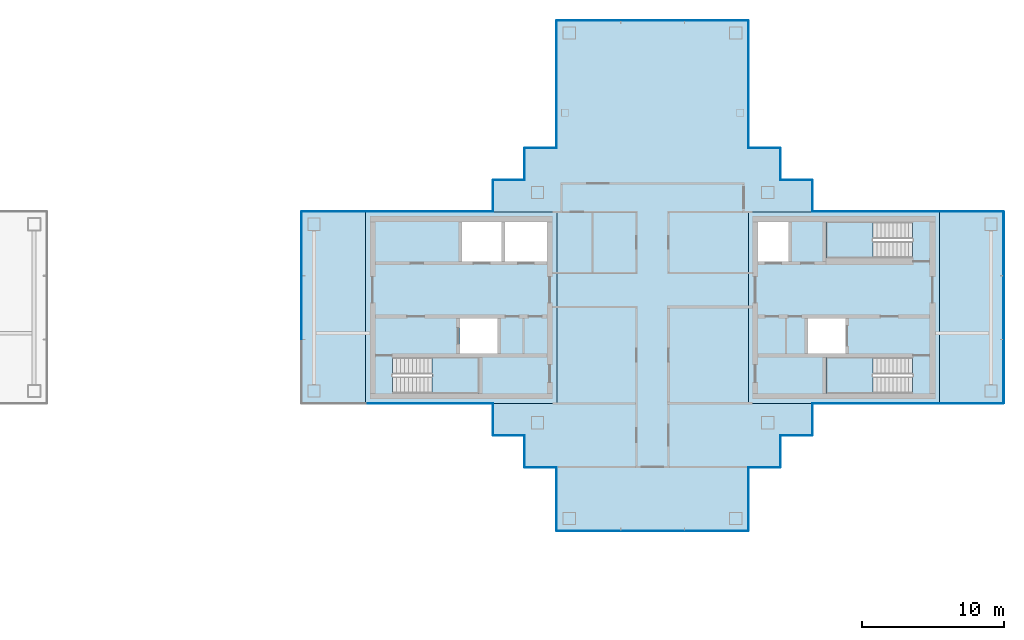
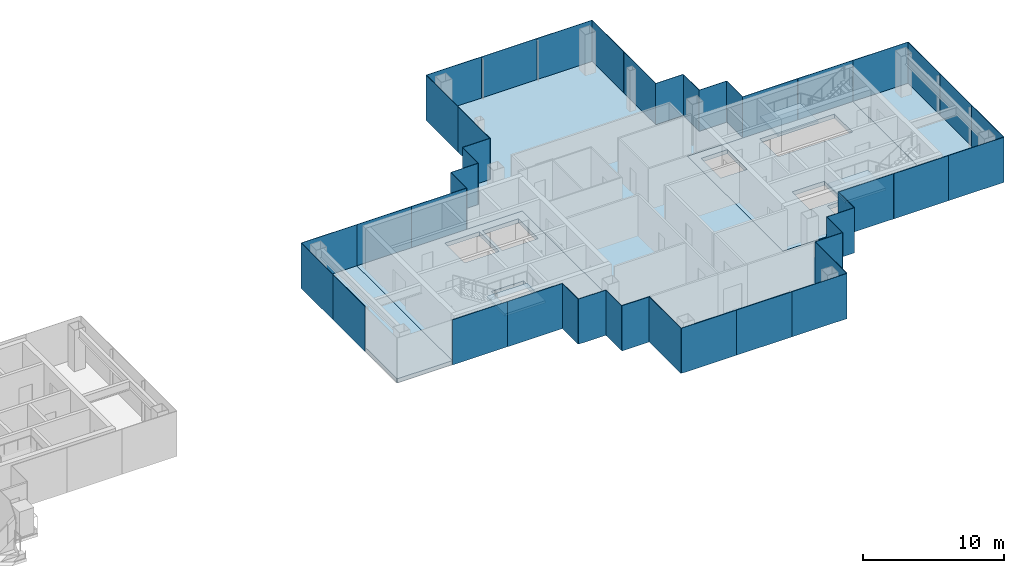
# One storey, part 8 of 16: 44 plates, 8 slabs, 22 elements without a shape of their own.
"""IFC4 building model written with IfcOpenShell, lengths in metres."""

from ifc_helpers import new_model, si_unit, direction, frame, origin, origin_2d, place, context, subcontext, project, spatial, polyline, rectangle, outline, extrude, material, layer, layer_set, type_object, element, aggregate, save


model = new_model("IFC4")

# Units and contexts
model_context = context("Model", 3, precision=1e-05, world=origin(), true_north=direction((0.0, 1.0)))
body_context = subcontext(model_context, "Body", "Model", "MODEL_VIEW")
ifc_project = project(units=[si_unit("LENGTHUNIT", "METRE"), si_unit("AREAUNIT", "SQUARE_METRE"), si_unit("VOLUMEUNIT", "CUBIC_METRE"), si_unit("PLANEANGLEUNIT", "RADIAN"), si_unit("MASSUNIT", "GRAM", prefix="KILO")], contexts=[model_context])

# Site, building, storey
site_placement = place(None, origin())
site = spatial("IfcSite", under=ifc_project, at=site_placement, CompositionType="ELEMENT")
building_placement = place(site_placement, origin())
building = spatial("IfcBuilding", under=site, at=building_placement, Name="Shamsa Quay Exchange Towers", CompositionType="ELEMENT")
storey_placement = place(building_placement, frame((0.0, 0.0, 265.5)))
storey = spatial("IfcBuildingStorey", under=building, at=storey_placement, Name="L64", CompositionType="ELEMENT", Elevation=265.5)

# Slabs
ifc_material_1 = material(Name="Concrete C50/60", Category="concrete")
ifc_layer_1 = layer(ifc_material_1, 0.35009765625)
ifc_layer_set_1 = layer_set([ifc_layer_1], Name="CORE FLOOR 350 C50/60")
slab_type_1 = type_object("IfcSlabType", Name="CORE FLOOR 350 C50/60", PredefinedType="FLOOR", material=ifc_layer_set_1)
slab_1_placement = place(storey_placement, frame((0.0, 0.0, -0.35009765625)))
element("IfcSlab", 1, at=slab_1_placement, inside=storey, type_object=slab_type_1, Name="Core floor T2A", PredefinedType="FLOOR", context=body_context, shape_type="SweptSolid", body=[
    extrude(outline(polyline([(13.5, -6.75), (27.0, -6.75), (27.0, 6.75), (13.5, 6.75), (13.5, -6.75)]), holes=[polyline([(15.400634765625, -6.050048828125), (15.400634765625, -3.5), (21.5, -3.5), (21.5, -6.050048828125), (15.400634765625, -6.050048828125)]), polyline([(20.300048828125, 3.25), (20.300048828125, 6.050048828125), (23.10009765625, 6.050048828125), (23.10009765625, 3.25), (20.300048828125, 3.25)]), polyline([(23.35009765625, 3.25), (23.35009765625, 6.050048828125), (26.300048828125, 6.050048828125), (26.300048828125, 3.25), (23.35009765625, 3.25)]), polyline([(20.14990234375, -3.25), (20.14990234375, -0.75), (22.800048828125, -0.75), (22.800048828125, -3.25), (20.14990234375, -3.25)])]), origin(), (0.0, 0.0, 1.0), 0.35009765625),
])
slab_2_placement = place(storey_placement, frame((0.0, 0.0, -0.35009765625)))
element("IfcSlab", 2, at=slab_2_placement, inside=storey, type_object=slab_type_1, Name="Core floor T2B", PredefinedType="FLOOR", context=body_context, shape_type="SweptSolid", body=[
    extrude(outline(polyline([(54.0, -6.75), (54.0, 6.75), (40.5, 6.75), (40.5, -6.75), (54.0, -6.75)]), holes=[polyline([(52.099365234375, -3.5), (52.099365234375, -6.050048828125), (46.0, -6.050048828125), (46.0, -3.5), (52.099365234375, -3.5)]), polyline([(52.099365234375, 6.050048828125), (52.099365234375, 3.5), (46.0, 3.5), (46.0, 6.050048828125), (52.099365234375, 6.050048828125)]), polyline([(43.35009765625, 3.25), (41.199951171875, 3.25), (41.199951171875, 6.050048828125), (43.35009765625, 6.050048828125), (43.35009765625, 3.25)]), polyline([(47.35009765625, -3.25), (44.699951171875, -3.25), (44.699951171875, -0.75), (47.35009765625, -0.75), (47.35009765625, -3.25)])]), origin(), (0.0, 0.0, 1.0), 0.35009765625),
])

# Stair, slab
ifc_material_2 = material(Name="Concrete C40/50", Category="concrete")
stair_type = type_object("IfcStairType", Name="EXIT STAIR 22 RISERS 177 MM", PredefinedType="HALF_TURN_STAIR", material=ifc_material_2)
stair_1_placement = place(storey_placement, origin())
stair_1 = element("IfcStair", 3, at=stair_1_placement, inside=storey, type_object=stair_type, Name="L64 Exit stair ST4", PredefinedType="HALF_TURN_STAIR")
ifc_layer_2 = layer(ifc_material_2, 0.199951171875)
ifc_layer_set_2 = layer_set([ifc_layer_2], Name="CORE STAIR LANDING")
slab_type_2 = type_object("IfcSlabType", Name="CORE STAIR LANDING", PredefinedType="LANDING", material=ifc_layer_set_2)
slab_3_placement = place(storey_placement, frame((0.0, 0.0, 1.75)))
slab_3 = element("IfcSlab", 4, at=slab_3_placement, type_object=slab_type_2, Name="ST4 landing 1", PredefinedType="LANDING", context=body_context, shape_type="SweptSolid", body=[
    extrude(outline(polyline([(18.199951171875, -6.050048828125), (21.5, -6.050048828125), (21.5, -3.5), (18.199951171875, -3.5), (18.199951171875, -6.050048828125)])), origin(), (0.0, 0.0, 1.0), 0.199951171875),
])
aggregate(stair_1, [slab_3])

stair_2_placement = place(storey_placement, origin())
stair_2 = element("IfcStair", 5, at=stair_2_placement, inside=storey, type_object=stair_type, Name="L64 Exit stair ST5", PredefinedType="HALF_TURN_STAIR")
slab_4_placement = place(storey_placement, frame((0.0, 0.0, 1.75)))
slab_4 = element("IfcSlab", 6, at=slab_4_placement, type_object=slab_type_2, Name="ST5 landing 1", PredefinedType="LANDING", context=body_context, shape_type="SweptSolid", body=[
    extrude(outline(polyline([(49.300048828125, -3.5), (46.0, -3.5), (46.0, -6.050048828125), (49.300048828125, -6.050048828125), (49.300048828125, -3.5)])), origin(), (0.0, 0.0, 1.0), 0.199951171875),
])
aggregate(stair_2, [slab_4])

stair_3_placement = place(storey_placement, origin())
stair_3 = element("IfcStair", 7, at=stair_3_placement, inside=storey, type_object=stair_type, Name="L64 Exit stair ST6", PredefinedType="HALF_TURN_STAIR")
slab_5_placement = place(storey_placement, frame((0.0, 0.0, 1.75)))
slab_5 = element("IfcSlab", 8, at=slab_5_placement, type_object=slab_type_2, Name="ST6 landing 1", PredefinedType="LANDING", context=body_context, shape_type="SweptSolid", body=[
    extrude(outline(polyline([(49.300048828125, 6.050048828125), (46.0, 6.050048828125), (46.0, 3.5), (49.300048828125, 3.5), (49.300048828125, 6.050048828125)])), origin(), (0.0, 0.0, 1.0), 0.199951171875),
])
aggregate(stair_3, [slab_5])

# Curtain wall, plate
ifc_material_3 = material(Name="Aluminium EN AW-6063 T6, black anodised", Category="aluminium")
ifc_layer_3 = layer(ifc_material_3, 0.280029296875)
ifc_layer_set_3 = layer_set([ifc_layer_3], Name="CW-1 UNITISED VISION GLASS")
curtain_wall_type_1 = type_object("IfcCurtainWallType", Name="CW-1 UNITISED VISION GLASS", PredefinedType="NOTDEFINED", material=ifc_layer_set_3)
curtain_wall_1_placement = place(storey_placement, origin())
curtain_wall_1 = element("IfcCurtainWall", 9, at=curtain_wall_1_placement, inside=storey, type_object=curtain_wall_type_1, Name="CW1 T2-FLK-V-W L64", PredefinedType="NOTDEFINED")
ifc_material_4 = material(Name="Glass, laminated, dark tinted", Category="glass")
ifc_layer_4 = layer(ifc_material_4, 0.0400390625)
ifc_layer_set_4 = layer_set([ifc_layer_4], Name="CW-1 VISION GLASS 40")
plate_type_1 = type_object("IfcPlateType", Name="CW-1 VISION GLASS 40", PredefinedType="CURTAIN_PANEL", material=ifc_layer_set_4)
plate_1_placement = place(storey_placement, frame((56.25, -6.77001953125, -0.349853515625)))
plate_1 = element("IfcPlate", 10, at=plate_1_placement, type_object=plate_type_1, Name="CW1 glass panel", PredefinedType="CURTAIN_PANEL", context=body_context, shape_type="SweptSolid", body=[
    extrude(rectangle(XDim=4.5, YDim=0.0400390625, at=origin_2d()), origin(), (0.0, 0.0, 1.0), 3.89990234375),
])
aggregate(curtain_wall_1, [plate_1])

# Curtain wall, plates
curtain_wall_2_placement = place(storey_placement, origin())
curtain_wall_2 = element("IfcCurtainWall", 11, at=curtain_wall_2_placement, inside=storey, type_object=curtain_wall_type_1, Name="CW1 T2-END-V- L64", PredefinedType="NOTDEFINED")
plate_2_placement = place(storey_placement, frame((58.52001953125, -4.50244140625, -0.349853515625), z_axis=(0.0, 0.0, 1.0), x_axis=(0.0, 1.0, 0.0)))
plate_2 = element("IfcPlate", 12, at=plate_2_placement, type_object=plate_type_1, Name="CW1 glass panel", PredefinedType="CURTAIN_PANEL", context=body_context, shape_type="SweptSolid", body=[
    extrude(rectangle(XDim=4.4951171875, YDim=0.0400390625, at=origin_2d()), origin(), (0.0, 0.0, 1.0), 3.89990234375),
])
plate_3_placement = place(storey_placement, frame((58.52001953125, 0.0, -0.349853515625), z_axis=(0.0, 0.0, 1.0), x_axis=(0.0, 1.0, 0.0)))
plate_3 = element("IfcPlate", 13, at=plate_3_placement, type_object=plate_type_1, Name="CW1 glass panel", PredefinedType="CURTAIN_PANEL", context=body_context, shape_type="SweptSolid", body=[
    extrude(rectangle(XDim=4.489990234375, YDim=0.0400390625, at=origin_2d()), origin(), (0.0, 0.0, 1.0), 3.89990234375),
])
plate_4_placement = place(storey_placement, frame((58.52001953125, 4.50244140625, -0.349853515625), z_axis=(0.0, 0.0, 1.0), x_axis=(0.0, 1.0, 0.0)))
plate_4 = element("IfcPlate", 14, at=plate_4_placement, type_object=plate_type_1, Name="CW1 glass panel", PredefinedType="CURTAIN_PANEL", context=body_context, shape_type="SweptSolid", body=[
    extrude(rectangle(XDim=4.4951171875, YDim=0.0400390625, at=origin_2d()), origin(), (0.0, 0.0, 1.0), 3.89990234375),
])
aggregate(curtain_wall_2, [plate_2, plate_3, plate_4])

# Curtain wall, plate
curtain_wall_3_placement = place(storey_placement, origin())
curtain_wall_3 = element("IfcCurtainWall", 15, at=curtain_wall_3_placement, inside=storey, type_object=curtain_wall_type_1, Name="CW1 T2-FLK-V-E L64", PredefinedType="NOTDEFINED")
plate_5_placement = place(storey_placement, frame((56.25, 6.77001953125, -0.349853515625), z_axis=(0.0, 0.0, 1.0), x_axis=(-1.0, 0.0, 0.0)))
plate_5 = element("IfcPlate", 16, at=plate_5_placement, type_object=plate_type_1, Name="CW1 glass panel", PredefinedType="CURTAIN_PANEL", context=body_context, shape_type="SweptSolid", body=[
    extrude(rectangle(XDim=4.5, YDim=0.0400390625, at=origin_2d()), origin(), (0.0, 0.0, 1.0), 3.89990234375),
])
aggregate(curtain_wall_3, [plate_5])

# Curtain wall, plates
curtain_wall_4_placement = place(storey_placement, origin())
curtain_wall_4 = element("IfcCurtainWall", 17, at=curtain_wall_4_placement, inside=storey, type_object=curtain_wall_type_1, Name="CW1 T2-FLK-U+S L64", PredefinedType="NOTDEFINED")
plate_6_placement = place(storey_placement, frame((40.52001953125, 13.52587890625, -0.349853515625), z_axis=(0.0, 0.0, 1.0), x_axis=(0.0, 1.0, 0.0)))
plate_6 = element("IfcPlate", 18, at=plate_6_placement, type_object=plate_type_1, Name="CW1 glass panel", PredefinedType="CURTAIN_PANEL", context=body_context, shape_type="SweptSolid", body=[
    extrude(rectangle(XDim=4.47607421875, YDim=0.0400390625, at=origin_2d()), origin(), (0.0, 0.0, 1.0), 3.89990234375),
])
plate_7_placement = place(storey_placement, frame((40.52001953125, 18.011962890625, -0.349853515625), z_axis=(0.0, 0.0, 1.0), x_axis=(0.0, 1.0, 0.0)))
plate_7 = element("IfcPlate", 19, at=plate_7_placement, type_object=plate_type_1, Name="CW1 glass panel", PredefinedType="CURTAIN_PANEL", context=body_context, shape_type="SweptSolid", body=[
    extrude(rectangle(XDim=4.47607421875, YDim=0.0400390625, at=origin_2d()), origin(), (0.0, 0.0, 1.0), 3.89990234375),
])
aggregate(curtain_wall_4, [plate_6, plate_7])

curtain_wall_5_placement = place(storey_placement, origin())
curtain_wall_5 = element("IfcCurtainWall", 20, at=curtain_wall_5_placement, inside=storey, type_object=curtain_wall_type_1, Name="CW1 T2-END-U+ L64", PredefinedType="NOTDEFINED")
plate_8_placement = place(storey_placement, frame((38.25244140625, 20.27001953125, -0.349853515625), z_axis=(0.0, 0.0, 1.0), x_axis=(-1.0, 0.0, 0.0)))
plate_8 = element("IfcPlate", 21, at=plate_8_placement, type_object=plate_type_1, Name="CW1 glass panel", PredefinedType="CURTAIN_PANEL", context=body_context, shape_type="SweptSolid", body=[
    extrude(rectangle(XDim=4.4951171875, YDim=0.0400390625, at=origin_2d()), origin(), (0.0, 0.0, 1.0), 3.89990234375),
])
plate_9_placement = place(storey_placement, frame((33.75, 20.27001953125, -0.349853515625), z_axis=(0.0, 0.0, 1.0), x_axis=(-1.0, 0.0, 0.0)))
plate_9 = element("IfcPlate", 22, at=plate_9_placement, type_object=plate_type_1, Name="CW1 glass panel", PredefinedType="CURTAIN_PANEL", context=body_context, shape_type="SweptSolid", body=[
    extrude(rectangle(XDim=4.489990234375, YDim=0.0400390625, at=origin_2d()), origin(), (0.0, 0.0, 1.0), 3.89990234375),
])
plate_10_placement = place(storey_placement, frame((29.24755859375, 20.27001953125, -0.349853515625), z_axis=(0.0, 0.0, 1.0), x_axis=(-1.0, 0.0, 0.0)))
plate_10 = element("IfcPlate", 23, at=plate_10_placement, type_object=plate_type_1, Name="CW1 glass panel", PredefinedType="CURTAIN_PANEL", context=body_context, shape_type="SweptSolid", body=[
    extrude(rectangle(XDim=4.4951171875, YDim=0.0400390625, at=origin_2d()), origin(), (0.0, 0.0, 1.0), 3.89990234375),
])
aggregate(curtain_wall_5, [plate_8, plate_9, plate_10])

curtain_wall_6_placement = place(storey_placement, origin())
curtain_wall_6 = element("IfcCurtainWall", 24, at=curtain_wall_6_placement, inside=storey, type_object=curtain_wall_type_1, Name="CW1 T2-FLK-U+N L64", PredefinedType="NOTDEFINED")
plate_11_placement = place(storey_placement, frame((26.97998046875, 18.00244140625, -0.349853515625), z_axis=(0.0, 0.0, 1.0), x_axis=(0.0, -1.0, 0.0)))
plate_11 = element("IfcPlate", 25, at=plate_11_placement, type_object=plate_type_1, Name="CW1 glass panel", PredefinedType="CURTAIN_PANEL", context=body_context, shape_type="SweptSolid", body=[
    extrude(rectangle(XDim=4.4951171875, YDim=0.0400390625, at=origin_2d()), origin(), (0.0, 0.0, 1.0), 3.89990234375),
])
plate_12_placement = place(storey_placement, frame((26.97998046875, 13.49755859375, -0.349853515625), z_axis=(0.0, 0.0, 1.0), x_axis=(0.0, -1.0, 0.0)))
plate_12 = element("IfcPlate", 26, at=plate_12_placement, type_object=plate_type_1, Name="CW1 glass panel", PredefinedType="CURTAIN_PANEL", context=body_context, shape_type="SweptSolid", body=[
    extrude(rectangle(XDim=4.4951171875, YDim=0.0400390625, at=origin_2d()), origin(), (0.0, 0.0, 1.0), 3.89990234375),
])
aggregate(curtain_wall_6, [plate_11, plate_12])

# Curtain wall, plate
curtain_wall_7_placement = place(storey_placement, origin())
curtain_wall_7 = element("IfcCurtainWall", 27, at=curtain_wall_7_placement, inside=storey, type_object=curtain_wall_type_1, Name="CW1 T2-FLK-V+E L64", PredefinedType="NOTDEFINED")
plate_13_placement = place(storey_placement, frame((11.25, 6.77001953125, -0.349853515625), z_axis=(0.0, 0.0, 1.0), x_axis=(-1.0, 0.0, 0.0)))
plate_13 = element("IfcPlate", 28, at=plate_13_placement, type_object=plate_type_1, Name="CW1 glass panel", PredefinedType="CURTAIN_PANEL", context=body_context, shape_type="SweptSolid", body=[
    extrude(rectangle(XDim=4.5, YDim=0.0400390625, at=origin_2d()), origin(), (0.0, 0.0, 1.0), 3.89990234375),
])
aggregate(curtain_wall_7, [plate_13])

# Curtain wall, plates
curtain_wall_8_placement = place(storey_placement, origin())
curtain_wall_8 = element("IfcCurtainWall", 29, at=curtain_wall_8_placement, inside=storey, type_object=curtain_wall_type_1, Name="CW1 T2-END-V+ L64", PredefinedType="NOTDEFINED")
plate_14_placement = place(storey_placement, frame((8.97998046875, 4.50244140625, -0.349853515625), z_axis=(0.0, 0.0, 1.0), x_axis=(0.0, -1.0, 0.0)))
plate_14 = element("IfcPlate", 30, at=plate_14_placement, type_object=plate_type_1, Name="CW1 glass panel", PredefinedType="CURTAIN_PANEL", context=body_context, shape_type="SweptSolid", body=[
    extrude(rectangle(XDim=4.4951171875, YDim=0.0400390625, at=origin_2d()), origin(), (0.0, 0.0, 1.0), 3.89990234375),
])
plate_15_placement = place(storey_placement, frame((8.97998046875, 0.0, -0.349853515625), z_axis=(0.0, 0.0, 1.0), x_axis=(0.0, -1.0, 0.0)))
plate_15 = element("IfcPlate", 31, at=plate_15_placement, type_object=plate_type_1, Name="CW1 glass panel", PredefinedType="CURTAIN_PANEL", context=body_context, shape_type="SweptSolid", body=[
    extrude(rectangle(XDim=4.489990234375, YDim=0.0400390625, at=origin_2d()), origin(), (0.0, 0.0, 1.0), 3.89990234375),
])
aggregate(curtain_wall_8, [plate_14, plate_15])

# Curtain wall, plate
curtain_wall_9_placement = place(storey_placement, origin())
curtain_wall_9 = element("IfcCurtainWall", 32, at=curtain_wall_9_placement, inside=storey, type_object=curtain_wall_type_1, Name="CW1 T2-FLK-U-N L64", PredefinedType="NOTDEFINED")
plate_16_placement = place(storey_placement, frame((26.97998046875, -13.51904296875, -0.349853515625), z_axis=(0.0, 0.0, 1.0), x_axis=(0.0, -1.0, 0.0)))
plate_16 = element("IfcPlate", 33, at=plate_16_placement, type_object=plate_type_1, Name="CW1 glass panel", PredefinedType="CURTAIN_PANEL", context=body_context, shape_type="SweptSolid", body=[
    extrude(rectangle(XDim=4.4619140625, YDim=0.0400390625, at=origin_2d()), origin(), (0.0, 0.0, 1.0), 3.89990234375),
])
aggregate(curtain_wall_9, [plate_16])

# Curtain wall, plates
curtain_wall_10_placement = place(storey_placement, origin())
curtain_wall_10 = element("IfcCurtainWall", 34, at=curtain_wall_10_placement, inside=storey, type_object=curtain_wall_type_1, Name="CW1 T2-END-U- L64", PredefinedType="NOTDEFINED")
plate_17_placement = place(storey_placement, frame((29.24755859375, -15.77001953125, -0.349853515625)))
plate_17 = element("IfcPlate", 35, at=plate_17_placement, type_object=plate_type_1, Name="CW1 glass panel", PredefinedType="CURTAIN_PANEL", context=body_context, shape_type="SweptSolid", body=[
    extrude(rectangle(XDim=4.4951171875, YDim=0.0400390625, at=origin_2d()), origin(), (0.0, 0.0, 1.0), 3.89990234375),
])
plate_18_placement = place(storey_placement, frame((33.75, -15.77001953125, -0.349853515625)))
plate_18 = element("IfcPlate", 36, at=plate_18_placement, type_object=plate_type_1, Name="CW1 glass panel", PredefinedType="CURTAIN_PANEL", context=body_context, shape_type="SweptSolid", body=[
    extrude(rectangle(XDim=4.489990234375, YDim=0.0400390625, at=origin_2d()), origin(), (0.0, 0.0, 1.0), 3.89990234375),
])
plate_19_placement = place(storey_placement, frame((38.25244140625, -15.77001953125, -0.349853515625)))
plate_19 = element("IfcPlate", 37, at=plate_19_placement, type_object=plate_type_1, Name="CW1 glass panel", PredefinedType="CURTAIN_PANEL", context=body_context, shape_type="SweptSolid", body=[
    extrude(rectangle(XDim=4.4951171875, YDim=0.0400390625, at=origin_2d()), origin(), (0.0, 0.0, 1.0), 3.89990234375),
])
aggregate(curtain_wall_10, [plate_17, plate_18, plate_19])

# Curtain wall, plate
curtain_wall_11_placement = place(storey_placement, origin())
curtain_wall_11 = element("IfcCurtainWall", 38, at=curtain_wall_11_placement, inside=storey, type_object=curtain_wall_type_1, Name="CW1 T2-FLK-U-S L64", PredefinedType="NOTDEFINED")
plate_20_placement = place(storey_placement, frame((40.52001953125, -13.5, -0.349853515625), z_axis=(0.0, 0.0, 1.0), x_axis=(0.0, 1.0, 0.0)))
plate_20 = element("IfcPlate", 39, at=plate_20_placement, type_object=plate_type_1, Name="CW1 glass panel", PredefinedType="CURTAIN_PANEL", context=body_context, shape_type="SweptSolid", body=[
    extrude(rectangle(XDim=4.5, YDim=0.0400390625, at=origin_2d()), origin(), (0.0, 0.0, 1.0), 3.89990234375),
])
aggregate(curtain_wall_11, [plate_20])

# Curtain wall, plates
ifc_layer_5 = layer(ifc_material_3, 0.303955078125)
ifc_layer_set_5 = layer_set([ifc_layer_5], Name="CW-2 UNITISED OPAQUE SPANDREL GLASS")
curtain_wall_type_2 = type_object("IfcCurtainWallType", Name="CW-2 UNITISED OPAQUE SPANDREL GLASS", PredefinedType="NOTDEFINED", material=ifc_layer_set_5)
curtain_wall_12_placement = place(storey_placement, origin())
curtain_wall_12 = element("IfcCurtainWall", 40, at=curtain_wall_12_placement, inside=storey, type_object=curtain_wall_type_2, Name="CW2 T2-FLK-V-W L64", PredefinedType="NOTDEFINED")
ifc_material_5 = material(Name="Glass, laminated, black enamelled opaque", Category="glass")
ifc_layer_6 = layer(ifc_material_5, 0.0439453125)
ifc_layer_set_6 = layer_set([ifc_layer_6], Name="CW-2 SPANDREL GLASS 44")
plate_type_2 = type_object("IfcPlateType", Name="CW-2 SPANDREL GLASS 44", PredefinedType="CURTAIN_PANEL", material=ifc_layer_set_6)
plate_21_placement = place(storey_placement, frame((47.27587890625, -6.77197265625, -0.349853515625)))
plate_21 = element("IfcPlate", 41, at=plate_21_placement, type_object=plate_type_2, Name="CW2 glass panel", PredefinedType="CURTAIN_PANEL", context=body_context, shape_type="SweptSolid", body=[
    extrude(rectangle(XDim=4.47607421875, YDim=0.0439453125, at=origin_2d()), origin(), (0.0, 0.0, 1.0), 3.89990234375),
])
plate_22_placement = place(storey_placement, frame((51.761962890625, -6.77197265625, -0.349853515625)))
plate_22 = element("IfcPlate", 42, at=plate_22_placement, type_object=plate_type_2, Name="CW2 glass panel", PredefinedType="CURTAIN_PANEL", context=body_context, shape_type="SweptSolid", body=[
    extrude(rectangle(XDim=4.47607421875, YDim=0.0439453125, at=origin_2d()), origin(), (0.0, 0.0, 1.0), 3.89990234375),
])
aggregate(curtain_wall_12, [plate_21, plate_22])

curtain_wall_13_placement = place(storey_placement, origin())
curtain_wall_13 = element("IfcCurtainWall", 43, at=curtain_wall_13_placement, inside=storey, type_object=curtain_wall_type_2, Name="CW2 T2-FLK-V-E L64", PredefinedType="NOTDEFINED")
plate_23_placement = place(storey_placement, frame((51.75244140625, 6.77197265625, -0.349853515625), z_axis=(0.0, 0.0, 1.0), x_axis=(-1.0, 0.0, 0.0)))
plate_23 = element("IfcPlate", 44, at=plate_23_placement, type_object=plate_type_2, Name="CW2 glass panel", PredefinedType="CURTAIN_PANEL", context=body_context, shape_type="SweptSolid", body=[
    extrude(rectangle(XDim=4.4951171875, YDim=0.0439453125, at=origin_2d()), origin(), (0.0, 0.0, 1.0), 3.89990234375),
])
plate_24_placement = place(storey_placement, frame((47.24755859375, 6.77197265625, -0.349853515625), z_axis=(0.0, 0.0, 1.0), x_axis=(-1.0, 0.0, 0.0)))
plate_24 = element("IfcPlate", 45, at=plate_24_placement, type_object=plate_type_2, Name="CW2 glass panel", PredefinedType="CURTAIN_PANEL", context=body_context, shape_type="SweptSolid", body=[
    extrude(rectangle(XDim=4.4951171875, YDim=0.0439453125, at=origin_2d()), origin(), (0.0, 0.0, 1.0), 3.89990234375),
])
aggregate(curtain_wall_13, [plate_23, plate_24])

curtain_wall_14_placement = place(storey_placement, origin())
curtain_wall_14 = element("IfcCurtainWall", 46, at=curtain_wall_14_placement, inside=storey, type_object=curtain_wall_type_2, Name="CW2 T2-FLK-V+E L64", PredefinedType="NOTDEFINED")
plate_25_placement = place(storey_placement, frame((20.22412109375, 6.77197265625, -0.349853515625), z_axis=(0.0, 0.0, 1.0), x_axis=(-1.0, 0.0, 0.0)))
plate_25 = element("IfcPlate", 47, at=plate_25_placement, type_object=plate_type_2, Name="CW2 glass panel", PredefinedType="CURTAIN_PANEL", context=body_context, shape_type="SweptSolid", body=[
    extrude(rectangle(XDim=4.47607421875, YDim=0.0439453125, at=origin_2d()), origin(), (0.0, 0.0, 1.0), 3.89990234375),
])
plate_26_placement = place(storey_placement, frame((15.738037109375, 6.77197265625, -0.349853515625), z_axis=(0.0, 0.0, 1.0), x_axis=(-1.0, 0.0, 0.0)))
plate_26 = element("IfcPlate", 48, at=plate_26_placement, type_object=plate_type_2, Name="CW2 glass panel", PredefinedType="CURTAIN_PANEL", context=body_context, shape_type="SweptSolid", body=[
    extrude(rectangle(XDim=4.47607421875, YDim=0.0439453125, at=origin_2d()), origin(), (0.0, 0.0, 1.0), 3.89990234375),
])
aggregate(curtain_wall_14, [plate_25, plate_26])

curtain_wall_15_placement = place(storey_placement, origin())
curtain_wall_15 = element("IfcCurtainWall", 49, at=curtain_wall_15_placement, inside=storey, type_object=curtain_wall_type_2, Name="CW2 T2-FLK-V+W L64", PredefinedType="NOTDEFINED")
plate_27_placement = place(storey_placement, frame((15.74755859375, -6.77197265625, -0.349853515625)))
plate_27 = element("IfcPlate", 50, at=plate_27_placement, type_object=plate_type_2, Name="CW2 glass panel", PredefinedType="CURTAIN_PANEL", context=body_context, shape_type="SweptSolid", body=[
    extrude(rectangle(XDim=4.4951171875, YDim=0.0439453125, at=origin_2d()), origin(), (0.0, 0.0, 1.0), 3.89990234375),
])
plate_28_placement = place(storey_placement, frame((20.25244140625, -6.77197265625, -0.349853515625)))
plate_28 = element("IfcPlate", 51, at=plate_28_placement, type_object=plate_type_2, Name="CW2 glass panel", PredefinedType="CURTAIN_PANEL", context=body_context, shape_type="SweptSolid", body=[
    extrude(rectangle(XDim=4.4951171875, YDim=0.0439453125, at=origin_2d()), origin(), (0.0, 0.0, 1.0), 3.89990234375),
])
aggregate(curtain_wall_15, [plate_27, plate_28])

ifc_layer_7 = layer(ifc_material_3, 0.256103515625)
ifc_layer_set_7 = layer_set([ifc_layer_7], Name="CW-4 POCKET SERRATED GLAZING")
curtain_wall_type_3 = type_object("IfcCurtainWallType", Name="CW-4 POCKET SERRATED GLAZING", PredefinedType="NOTDEFINED", material=ifc_layer_set_7)
curtain_wall_16_placement = place(storey_placement, origin())
curtain_wall_16 = element("IfcCurtainWall", 52, at=curtain_wall_16_placement, inside=storey, type_object=curtain_wall_type_3, Name="CW4 PKWS L64", PredefinedType="NOTDEFINED")
ifc_layer_8 = layer(ifc_material_4, 0.035888671875)
ifc_layer_set_8 = layer_set([ifc_layer_8], Name="CW-4 POCKET GLASS 36")
plate_type_3 = type_object("IfcPlateType", Name="CW-4 POCKET GLASS 36", PredefinedType="CURTAIN_PANEL", material=ifc_layer_set_8)
plate_29_placement = place(storey_placement, frame((43.89404296875, -9.01806640625, -0.349853515625)))
plate_29 = element("IfcPlate", 53, at=plate_29_placement, type_object=plate_type_3, Name="CW4 glass panel", PredefinedType="CURTAIN_PANEL", context=body_context, shape_type="SweptSolid", body=[
    extrude(rectangle(XDim=2.2119140625, YDim=0.035888671875, at=origin_2d()), origin(), (0.0, 0.0, 1.0), 3.89990234375),
])
plate_30_placement = place(storey_placement, frame((45.01806640625, -7.875, -0.349853515625), z_axis=(0.0, 0.0, 1.0), x_axis=(0.0, 1.0, 0.0)))
plate_30 = element("IfcPlate", 54, at=plate_30_placement, type_object=plate_type_3, Name="CW4 glass panel", PredefinedType="CURTAIN_PANEL", context=body_context, shape_type="SweptSolid", body=[
    extrude(rectangle(XDim=2.25, YDim=0.035888671875, at=origin_2d()), origin(), (0.0, 0.0, 1.0), 3.89990234375),
])
plate_31_placement = place(storey_placement, frame((41.64599609375, -11.26806640625, -0.349853515625)))
plate_31 = element("IfcPlate", 55, at=plate_31_placement, type_object=plate_type_3, Name="CW4 glass panel", PredefinedType="CURTAIN_PANEL", context=body_context, shape_type="SweptSolid", body=[
    extrude(rectangle(XDim=2.2080078125, YDim=0.035888671875, at=origin_2d()), origin(), (0.0, 0.0, 1.0), 3.89990234375),
])
plate_32_placement = place(storey_placement, frame((42.76806640625, -10.125, -0.349853515625), z_axis=(0.0, 0.0, 1.0), x_axis=(0.0, 1.0, 0.0)))
plate_32 = element("IfcPlate", 56, at=plate_32_placement, type_object=plate_type_3, Name="CW4 glass panel", PredefinedType="CURTAIN_PANEL", context=body_context, shape_type="SweptSolid", body=[
    extrude(rectangle(XDim=2.25, YDim=0.035888671875, at=origin_2d()), origin(), (0.0, 0.0, 1.0), 3.89990234375),
])
aggregate(curtain_wall_16, [plate_29, plate_30, plate_31, plate_32])

curtain_wall_17_placement = place(storey_placement, origin())
curtain_wall_17 = element("IfcCurtainWall", 57, at=curtain_wall_17_placement, inside=storey, type_object=curtain_wall_type_3, Name="CW4 PKES L64", PredefinedType="NOTDEFINED")
plate_33_placement = place(storey_placement, frame((45.01806640625, 7.89794921875, -0.349853515625), z_axis=(0.0, 0.0, 1.0), x_axis=(0.0, 1.0, 0.0)))
plate_33 = element("IfcPlate", 58, at=plate_33_placement, type_object=plate_type_3, Name="CW4 glass panel", PredefinedType="CURTAIN_PANEL", context=body_context, shape_type="SweptSolid", body=[
    extrude(rectangle(XDim=2.2041015625, YDim=0.035888671875, at=origin_2d()), origin(), (0.0, 0.0, 1.0), 3.89990234375),
])
plate_34_placement = place(storey_placement, frame((43.875, 9.01806640625, -0.349853515625), z_axis=(0.0, 0.0, 1.0), x_axis=(-1.0, 0.0, 0.0)))
plate_34 = element("IfcPlate", 59, at=plate_34_placement, type_object=plate_type_3, Name="CW4 glass panel", PredefinedType="CURTAIN_PANEL", context=body_context, shape_type="SweptSolid", body=[
    extrude(rectangle(XDim=2.25, YDim=0.035888671875, at=origin_2d()), origin(), (0.0, 0.0, 1.0), 3.89990234375),
])
plate_35_placement = place(storey_placement, frame((42.76806640625, 10.14404296875, -0.349853515625), z_axis=(0.0, 0.0, 1.0), x_axis=(0.0, 1.0, 0.0)))
plate_35 = element("IfcPlate", 60, at=plate_35_placement, type_object=plate_type_3, Name="CW4 glass panel", PredefinedType="CURTAIN_PANEL", context=body_context, shape_type="SweptSolid", body=[
    extrude(rectangle(XDim=2.2119140625, YDim=0.035888671875, at=origin_2d()), origin(), (0.0, 0.0, 1.0), 3.89990234375),
])
plate_36_placement = place(storey_placement, frame((41.625, 11.26806640625, -0.349853515625), z_axis=(0.0, 0.0, 1.0), x_axis=(-1.0, 0.0, 0.0)))
plate_36 = element("IfcPlate", 61, at=plate_36_placement, type_object=plate_type_3, Name="CW4 glass panel", PredefinedType="CURTAIN_PANEL", context=body_context, shape_type="SweptSolid", body=[
    extrude(rectangle(XDim=2.25, YDim=0.035888671875, at=origin_2d()), origin(), (0.0, 0.0, 1.0), 3.89990234375),
])
aggregate(curtain_wall_17, [plate_33, plate_34, plate_35, plate_36])

curtain_wall_18_placement = place(storey_placement, origin())
curtain_wall_18 = element("IfcCurtainWall", 62, at=curtain_wall_18_placement, inside=storey, type_object=curtain_wall_type_3, Name="CW4 PKEN L64", PredefinedType="NOTDEFINED")
plate_37_placement = place(storey_placement, frame((25.85400390625, 11.26806640625, -0.349853515625), z_axis=(0.0, 0.0, 1.0), x_axis=(-1.0, 0.0, 0.0)))
plate_37 = element("IfcPlate", 63, at=plate_37_placement, type_object=plate_type_3, Name="CW4 glass panel", PredefinedType="CURTAIN_PANEL", context=body_context, shape_type="SweptSolid", body=[
    extrude(rectangle(XDim=2.2080078125, YDim=0.035888671875, at=origin_2d()), origin(), (0.0, 0.0, 1.0), 3.89990234375),
])
plate_38_placement = place(storey_placement, frame((24.73193359375, 10.125, -0.349853515625), z_axis=(0.0, 0.0, 1.0), x_axis=(0.0, -1.0, 0.0)))
plate_38 = element("IfcPlate", 64, at=plate_38_placement, type_object=plate_type_3, Name="CW4 glass panel", PredefinedType="CURTAIN_PANEL", context=body_context, shape_type="SweptSolid", body=[
    extrude(rectangle(XDim=2.25, YDim=0.035888671875, at=origin_2d()), origin(), (0.0, 0.0, 1.0), 3.89990234375),
])
plate_39_placement = place(storey_placement, frame((23.60595703125, 9.01806640625, -0.349853515625), z_axis=(0.0, 0.0, 1.0), x_axis=(-1.0, 0.0, 0.0)))
plate_39 = element("IfcPlate", 65, at=plate_39_placement, type_object=plate_type_3, Name="CW4 glass panel", PredefinedType="CURTAIN_PANEL", context=body_context, shape_type="SweptSolid", body=[
    extrude(rectangle(XDim=2.2119140625, YDim=0.035888671875, at=origin_2d()), origin(), (0.0, 0.0, 1.0), 3.89990234375),
])
plate_40_placement = place(storey_placement, frame((22.48193359375, 7.875, -0.349853515625), z_axis=(0.0, 0.0, 1.0), x_axis=(0.0, -1.0, 0.0)))
plate_40 = element("IfcPlate", 66, at=plate_40_placement, type_object=plate_type_3, Name="CW4 glass panel", PredefinedType="CURTAIN_PANEL", context=body_context, shape_type="SweptSolid", body=[
    extrude(rectangle(XDim=2.25, YDim=0.035888671875, at=origin_2d()), origin(), (0.0, 0.0, 1.0), 3.89990234375),
])
aggregate(curtain_wall_18, [plate_37, plate_38, plate_39, plate_40])

curtain_wall_19_placement = place(storey_placement, origin())
curtain_wall_19 = element("IfcCurtainWall", 67, at=curtain_wall_19_placement, inside=storey, type_object=curtain_wall_type_3, Name="CW4 PKWN L64", PredefinedType="NOTDEFINED")
plate_41_placement = place(storey_placement, frame((22.48193359375, -7.89794921875, -0.349853515625), z_axis=(0.0, 0.0, 1.0), x_axis=(0.0, -1.0, 0.0)))
plate_41 = element("IfcPlate", 68, at=plate_41_placement, type_object=plate_type_3, Name="CW4 glass panel", PredefinedType="CURTAIN_PANEL", context=body_context, shape_type="SweptSolid", body=[
    extrude(rectangle(XDim=2.2041015625, YDim=0.035888671875, at=origin_2d()), origin(), (0.0, 0.0, 1.0), 3.89990234375),
])
plate_42_placement = place(storey_placement, frame((23.625, -9.01806640625, -0.349853515625)))
plate_42 = element("IfcPlate", 69, at=plate_42_placement, type_object=plate_type_3, Name="CW4 glass panel", PredefinedType="CURTAIN_PANEL", context=body_context, shape_type="SweptSolid", body=[
    extrude(rectangle(XDim=2.25, YDim=0.035888671875, at=origin_2d()), origin(), (0.0, 0.0, 1.0), 3.89990234375),
])
plate_43_placement = place(storey_placement, frame((24.73193359375, -10.14404296875, -0.349853515625), z_axis=(0.0, 0.0, 1.0), x_axis=(0.0, -1.0, 0.0)))
plate_43 = element("IfcPlate", 70, at=plate_43_placement, type_object=plate_type_3, Name="CW4 glass panel", PredefinedType="CURTAIN_PANEL", context=body_context, shape_type="SweptSolid", body=[
    extrude(rectangle(XDim=2.2119140625, YDim=0.035888671875, at=origin_2d()), origin(), (0.0, 0.0, 1.0), 3.89990234375),
])
plate_44_placement = place(storey_placement, frame((25.875, -11.26806640625, -0.349853515625)))
plate_44 = element("IfcPlate", 71, at=plate_44_placement, type_object=plate_type_3, Name="CW4 glass panel", PredefinedType="CURTAIN_PANEL", context=body_context, shape_type="SweptSolid", body=[
    extrude(rectangle(XDim=2.25, YDim=0.035888671875, at=origin_2d()), origin(), (0.0, 0.0, 1.0), 3.89990234375),
])
aggregate(curtain_wall_19, [plate_41, plate_42, plate_43, plate_44])

# Slabs
ifc_layer_9 = layer(ifc_material_2, 0.35009765625)
ifc_layer_set_9 = layer_set([ifc_layer_9], Name="Flat slab 350")
slab_type_3 = type_object("IfcSlabType", Name="Flat slab 350", PredefinedType="FLOOR", material=ifc_layer_set_9)
slab_6_placement = place(storey_placement, frame((0.0, 0.0, -0.35009765625)))
element("IfcSlab", 72, at=slab_6_placement, inside=storey, type_object=slab_type_3, Name="Flat slab T2 L64 4", PredefinedType="FLOOR", context=body_context, shape_type="SweptSolid", body=[
    extrude(outline(polyline([(9.0, -6.75), (13.5, -6.75), (13.5, 6.75), (9.0, 6.75), (9.0, -6.75)])), origin(), (0.0, 0.0, 1.0), 0.35009765625),
])
slab_7_placement = place(storey_placement, frame((0.0, 0.0, -0.35009765625)))
element("IfcSlab", 73, at=slab_7_placement, inside=storey, type_object=slab_type_3, Name="Flat slab T2 L64 5", PredefinedType="FLOOR", context=body_context, shape_type="SweptSolid", body=[
    extrude(outline(polyline([(45.0, -9.0), (45.0, -6.75), (40.5, -6.75), (40.5, 6.75), (45.0, 6.75), (45.0, 9.0), (42.75, 9.0), (42.75, 11.25), (40.5, 11.25), (40.5, 20.25), (27.0, 20.25), (27.0, 11.25), (24.75, 11.25), (24.75, 9.0), (22.5, 9.0), (22.5, 6.75), (27.0, 6.75), (27.0, -6.75), (22.5, -6.75), (22.5, -9.0), (24.75, -9.0), (24.75, -11.25), (27.0, -11.25), (27.0, -15.75), (40.5, -15.75), (40.5, -11.25), (42.75, -11.25), (42.75, -9.0), (45.0, -9.0)])), origin(), (0.0, 0.0, 1.0), 0.35009765625),
])
slab_8_placement = place(storey_placement, frame((0.0, 0.0, -0.35009765625)))
element("IfcSlab", 74, at=slab_8_placement, inside=storey, type_object=slab_type_3, Name="Flat slab T2 L64 6", PredefinedType="FLOOR", context=body_context, shape_type="SweptSolid", body=[
    extrude(outline(polyline([(58.5, 6.75), (54.0, 6.75), (54.0, -6.75), (58.5, -6.75), (58.5, 6.75)])), origin(), (0.0, 0.0, 1.0), 0.35009765625),
])

save(model, "model.ifc")
